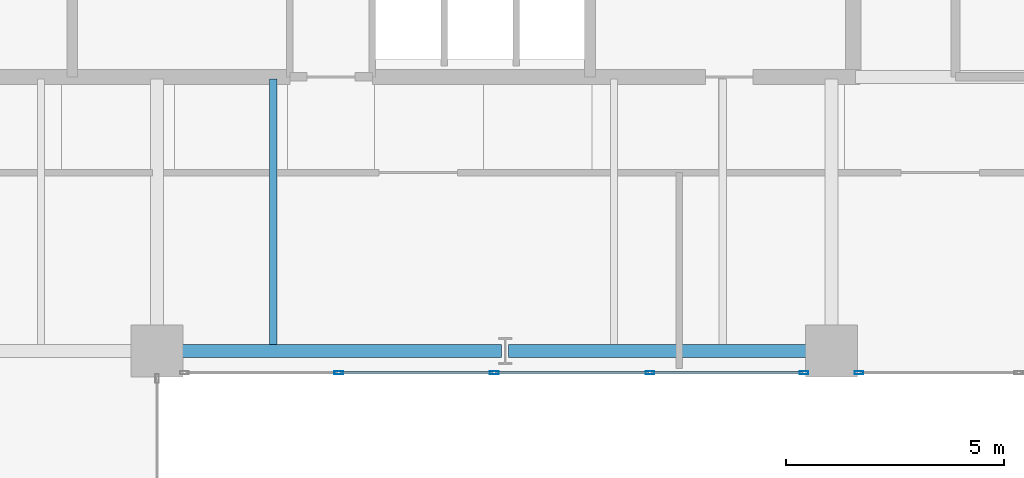
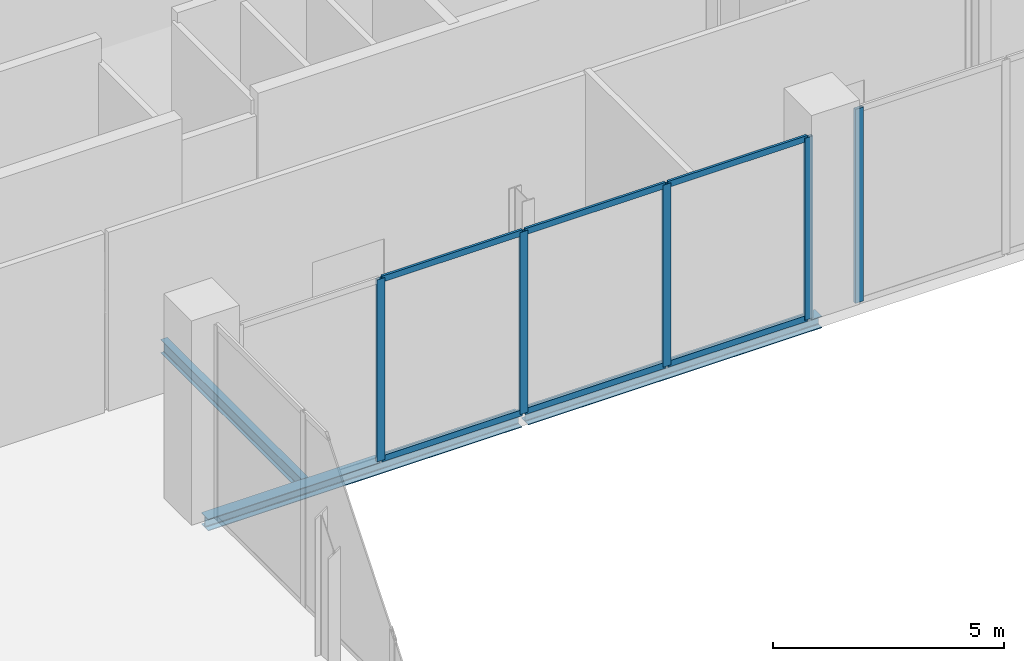
# One storey, part 9 of 18: 11 members, 3 beams, 2 elements without a shape of their own.
"""IFC4 building model written with IfcOpenShell, lengths in metres."""

from ifc_helpers import new_model, si_unit, direction, frame, origin, origin_2d, place, context, subcontext, project, spatial, hollow_rectangle, i_section, extrude, material, layer, layer_set, material_profile, profile_set, type_object, element, aggregate, save


model = new_model("IFC4")

# Units and contexts
model_context = context("Model", 3, precision=1e-05, world=origin(), true_north=direction((0.0, 1.0)))
body_context = subcontext(model_context, "Body", "Model", "MODEL_VIEW")
ifc_project = project(units=[si_unit("LENGTHUNIT", "METRE"), si_unit("AREAUNIT", "SQUARE_METRE"), si_unit("VOLUMEUNIT", "CUBIC_METRE"), si_unit("PLANEANGLEUNIT", "RADIAN"), si_unit("MASSUNIT", "GRAM", prefix="KILO")], contexts=[model_context])

# Site, building, storey
site_placement = place(None, origin())
site = spatial("IfcSite", under=ifc_project, at=site_placement, CompositionType="ELEMENT")
building_placement = place(site_placement, origin())
building = spatial("IfcBuilding", under=site, at=building_placement, Name="Catumbela Crestline Tower", CompositionType="ELEMENT")
storey_placement = place(building_placement, frame((0.0, 0.0, 148.8)))
storey = spatial("IfcBuildingStorey", under=building, at=storey_placement, Name="L38", CompositionType="ELEMENT", Elevation=148.8)

# Beam
ifc_material_1 = material(Name="Structural steel S355J2", Category="steel")
ifc_material_profile_1 = material_profile(ifc_material_1, i_section(OverallWidth=0.17, OverallDepth=0.36, WebThickness=0.008, FlangeThickness=0.0127, FilletRadius=0.018, at=origin_2d()), Name="IPE 360")
ifc_profile_set_1 = profile_set([ifc_material_profile_1], Name="Structural steel S355J2")
beam_type_1 = type_object("IfcBeamType", Name="BJ-IPE360", PredefinedType="JOIST", material=ifc_profile_set_1)
beam_1_placement = place(storey_placement, frame((26.667, 24.647, -0.53), z_axis=(0.0, 1.0, 0.0), x_axis=(-1.0, 0.0, 0.0)))
element("IfcBeam", 1, at=beam_1_placement, inside=storey, type_object=beam_type_1, Name="L38 Joist JS-L38-SP28", PredefinedType="JOIST", context=body_context, shape_type="SweptSolid", body=[
    extrude(i_section(OverallWidth=0.17, OverallDepth=0.36, WebThickness=0.008, FlangeThickness=0.0127, FilletRadius=0.018, at=origin_2d()), origin(), (0.0, 0.0, 1.0), 6.103),
])

# Curtain wall, members
ifc_material_2 = material(Name="Aluminium alloy AW-6060-T66", Category="aluminium")
ifc_layer = layer(ifc_material_2, 0.18, Name="Aluminium alloy AW-6060-T66")
ifc_layer_set = layer_set([ifc_layer], Name="Aluminium alloy AW-6060-T66")
curtain_wall_type = type_object("IfcCurtainWallType", Name="CWU-SKY", PredefinedType="USERDEFINED", material=ifc_layer_set)
curtain_wall_1_placement = place(storey_placement, origin())
curtain_wall_1 = element("IfcCurtainWall", 2, at=curtain_wall_1_placement, inside=storey, type_object=curtain_wall_type, Name="L38 Unitised Curtain Wall CW-L38-E3S1", ObjectType="UNITISED", PredefinedType="USERDEFINED")
ifc_material_profile_2 = material_profile(ifc_material_2, hollow_rectangle(XDim=0.075, YDim=0.2, WallThickness=0.005, at=origin_2d()), Name="ALU 200x75x5")
ifc_profile_set_2 = profile_set([ifc_material_profile_2], Name="Aluminium alloy AW-6060-T66")
member_type_1 = type_object("IfcMemberType", Name="MUL-200X75", PredefinedType="MULLION", material=ifc_profile_set_2)
member_1_placement = place(storey_placement, frame((28.175, 24.0, 0.0), z_axis=(0.0, 0.0, 1.0), x_axis=(0.0, 1.0, 0.0)))
member_1 = element("IfcMember", 3, at=member_1_placement, type_object=member_type_1, Name="CWU-SKY mullion 2", PredefinedType="MULLION", context=body_context, shape_type="SweptSolid", body=[
    extrude(hollow_rectangle(XDim=0.075, YDim=0.2, WallThickness=0.005, at=origin_2d()), origin(), (0.0, 0.0, 1.0), 4.81),
])
member_2_placement = place(storey_placement, frame((31.75, 24.0, 0.0), z_axis=(0.0, 0.0, 1.0), x_axis=(0.0, 1.0, 0.0)))
member_2 = element("IfcMember", 4, at=member_2_placement, type_object=member_type_1, Name="CWU-SKY mullion 3", PredefinedType="MULLION", context=body_context, shape_type="SweptSolid", body=[
    extrude(hollow_rectangle(XDim=0.075, YDim=0.2, WallThickness=0.005, at=origin_2d()), origin(), (0.0, 0.0, 1.0), 4.81),
])
member_3_placement = place(storey_placement, frame((35.325, 24.0, 0.0), z_axis=(0.0, 0.0, 1.0), x_axis=(0.0, 1.0, 0.0)))
member_3 = element("IfcMember", 5, at=member_3_placement, type_object=member_type_1, Name="CWU-SKY mullion 4", PredefinedType="MULLION", context=body_context, shape_type="SweptSolid", body=[
    extrude(hollow_rectangle(XDim=0.075, YDim=0.2, WallThickness=0.005, at=origin_2d()), origin(), (0.0, 0.0, 1.0), 4.81),
])
member_4_placement = place(storey_placement, frame((38.8675, 24.0, 0.0), z_axis=(0.0, 0.0, 1.0), x_axis=(0.0, 1.0, 0.0)))
member_4 = element("IfcMember", 6, at=member_4_placement, type_object=member_type_1, Name="CWU-SKY mullion 5", PredefinedType="MULLION", context=body_context, shape_type="SweptSolid", body=[
    extrude(hollow_rectangle(XDim=0.075, YDim=0.2, WallThickness=0.005, at=origin_2d()), origin(), (0.0, 0.0, 1.0), 4.81),
])

# Curtain wall, member
curtain_wall_2_placement = place(storey_placement, origin())
curtain_wall_2 = element("IfcCurtainWall", 7, at=curtain_wall_2_placement, inside=storey, type_object=curtain_wall_type, Name="L38 Unitised Curtain Wall CW-L38-E3S2", ObjectType="UNITISED", PredefinedType="USERDEFINED")
member_5_placement = place(storey_placement, frame((40.1325, 24.0, 0.0), z_axis=(0.0, 0.0, 1.0), x_axis=(0.0, 1.0, 0.0)))
member_5 = element("IfcMember", 8, at=member_5_placement, type_object=member_type_1, Name="CWU-SKY mullion 1", PredefinedType="MULLION", context=body_context, shape_type="SweptSolid", body=[
    extrude(hollow_rectangle(XDim=0.075, YDim=0.2, WallThickness=0.005, at=origin_2d()), origin(), (0.0, 0.0, 1.0), 5.13),
])
aggregate(curtain_wall_2, [member_5])

# Beams
ifc_material_profile_3 = material_profile(ifc_material_1, i_section(OverallWidth=0.3, OverallDepth=0.31, WebThickness=0.009, FlangeThickness=0.0155, FilletRadius=0.027, at=origin_2d()), Name="HEA 320")
ifc_profile_set_3 = profile_set([ifc_material_profile_3], Name="Structural steel S355J2")
beam_type_2 = type_object("IfcBeamType", Name="BS-HEA320", PredefinedType="SPANDREL", material=ifc_profile_set_3)
beam_2_placement = place(storey_placement, frame((24.08, 24.5, -0.505), z_axis=(1.0, 0.0, 0.0), x_axis=(0.0, 1.0, 0.0)))
element("IfcBeam", 9, at=beam_2_placement, inside=storey, type_object=beam_type_2, Name="L38 Spandrel SP-L38-S04", PredefinedType="SPANDREL", context=body_context, shape_type="SweptSolid", body=[
    extrude(i_section(OverallWidth=0.3, OverallDepth=0.31, WebThickness=0.009, FlangeThickness=0.0155, FilletRadius=0.027, at=origin_2d()), origin(), (0.0, 0.0, 1.0), 7.84),
])
beam_3_placement = place(storey_placement, frame((32.08, 24.5, -0.505), z_axis=(1.0, 0.0, 0.0), x_axis=(0.0, 1.0, 0.0)))
element("IfcBeam", 10, at=beam_3_placement, inside=storey, type_object=beam_type_2, Name="L38 Spandrel SP-L38-S05", PredefinedType="SPANDREL", context=body_context, shape_type="SweptSolid", body=[
    extrude(i_section(OverallWidth=0.3, OverallDepth=0.31, WebThickness=0.009, FlangeThickness=0.0155, FilletRadius=0.027, at=origin_2d()), origin(), (0.0, 0.0, 1.0), 7.34),
])

# Member
ifc_material_profile_4 = material_profile(ifc_material_2, hollow_rectangle(XDim=0.06, YDim=0.16, WallThickness=0.004, at=origin_2d()), Name="ALU 160x60x4")
ifc_profile_set_4 = profile_set([ifc_material_profile_4], Name="Aluminium alloy AW-6060-T66")
member_type_2 = type_object("IfcMemberType", Name="TRN-160X60", PredefinedType="USERDEFINED", material=ifc_profile_set_4)
member_6_placement = place(storey_placement, frame((28.2075, 24.0, 0.03), z_axis=(1.0, 0.0, 0.0), x_axis=(0.0, 1.0, 0.0)))
member_6 = element("IfcMember", 11, at=member_6_placement, type_object=member_type_2, Name="CWU-SKY transom 2.1", ObjectType="TRANSOM", PredefinedType="USERDEFINED", context=body_context, shape_type="SweptSolid", body=[
    extrude(hollow_rectangle(XDim=0.06, YDim=0.16, WallThickness=0.004, at=origin_2d()), origin(), (0.0, 0.0, 1.0), 3.51),
])

member_7_placement = place(storey_placement, frame((28.2075, 24.0, 4.78), z_axis=(1.0, 0.0, 0.0), x_axis=(0.0, 1.0, 0.0)))
member_7 = element("IfcMember", 12, at=member_7_placement, type_object=member_type_2, Name="CWU-SKY transom 2.2", ObjectType="TRANSOM", PredefinedType="USERDEFINED", context=body_context, shape_type="SweptSolid", body=[
    extrude(hollow_rectangle(XDim=0.06, YDim=0.16, WallThickness=0.004, at=origin_2d()), origin(), (0.0, 0.0, 1.0), 3.51),
])

member_8_placement = place(storey_placement, frame((31.7825, 24.0, 0.03), z_axis=(1.0, 0.0, 0.0), x_axis=(0.0, 1.0, 0.0)))
member_8 = element("IfcMember", 13, at=member_8_placement, type_object=member_type_2, Name="CWU-SKY transom 3.1", ObjectType="TRANSOM", PredefinedType="USERDEFINED", context=body_context, shape_type="SweptSolid", body=[
    extrude(hollow_rectangle(XDim=0.06, YDim=0.16, WallThickness=0.004, at=origin_2d()), origin(), (0.0, 0.0, 1.0), 3.51),
])

member_9_placement = place(storey_placement, frame((31.7825, 24.0, 4.78), z_axis=(1.0, 0.0, 0.0), x_axis=(0.0, 1.0, 0.0)))
member_9 = element("IfcMember", 14, at=member_9_placement, type_object=member_type_2, Name="CWU-SKY transom 3.2", ObjectType="TRANSOM", PredefinedType="USERDEFINED", context=body_context, shape_type="SweptSolid", body=[
    extrude(hollow_rectangle(XDim=0.06, YDim=0.16, WallThickness=0.004, at=origin_2d()), origin(), (0.0, 0.0, 1.0), 3.51),
])

member_10_placement = place(storey_placement, frame((35.3575, 24.0, 0.03), z_axis=(1.0, 0.0, 0.0), x_axis=(0.0, 1.0, 0.0)))
member_10 = element("IfcMember", 15, at=member_10_placement, type_object=member_type_2, Name="CWU-SKY transom 4.1", ObjectType="TRANSOM", PredefinedType="USERDEFINED", context=body_context, shape_type="SweptSolid", body=[
    extrude(hollow_rectangle(XDim=0.06, YDim=0.16, WallThickness=0.004, at=origin_2d()), origin(), (0.0, 0.0, 1.0), 3.4775),
])

member_11_placement = place(storey_placement, frame((35.3575, 24.0, 4.78), z_axis=(1.0, 0.0, 0.0), x_axis=(0.0, 1.0, 0.0)))
member_11 = element("IfcMember", 16, at=member_11_placement, type_object=member_type_2, Name="CWU-SKY transom 4.2", ObjectType="TRANSOM", PredefinedType="USERDEFINED", context=body_context, shape_type="SweptSolid", body=[
    extrude(hollow_rectangle(XDim=0.06, YDim=0.16, WallThickness=0.004, at=origin_2d()), origin(), (0.0, 0.0, 1.0), 3.4775),
])

aggregate(curtain_wall_1, [member_1, member_2, member_3, member_4, member_6, member_7, member_8, member_9, member_10, member_11])

save(model, "model.ifc")
